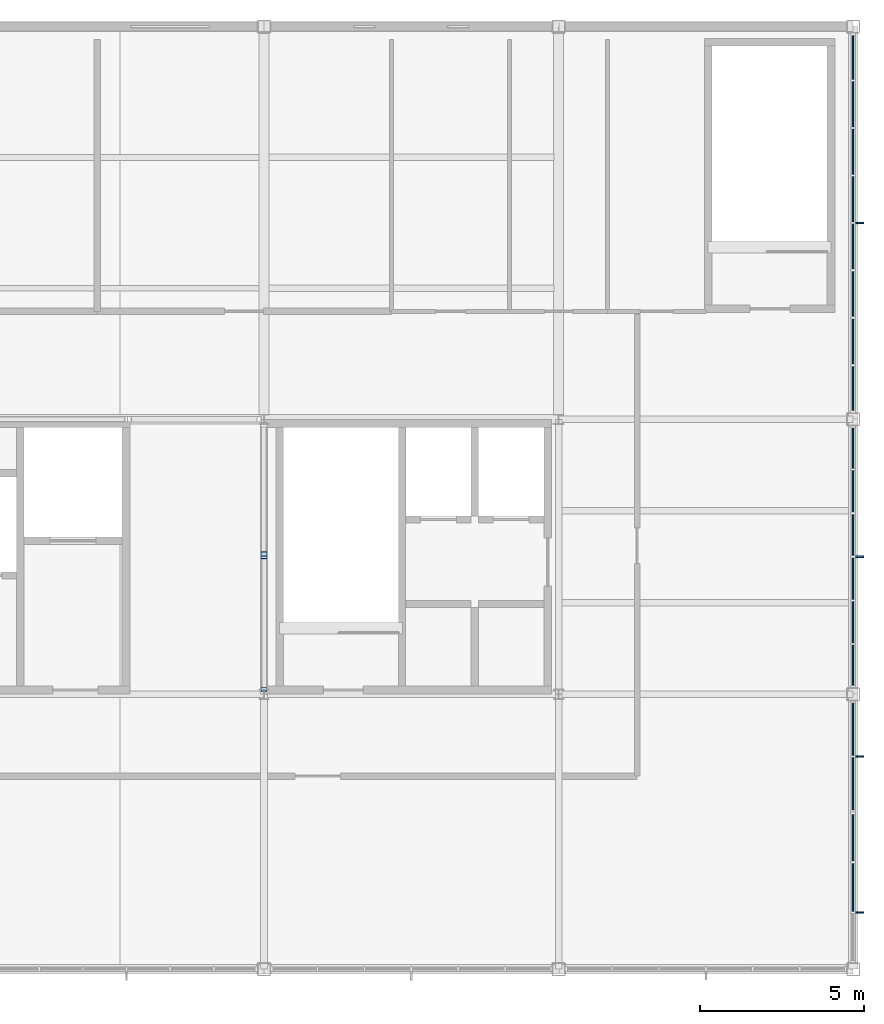
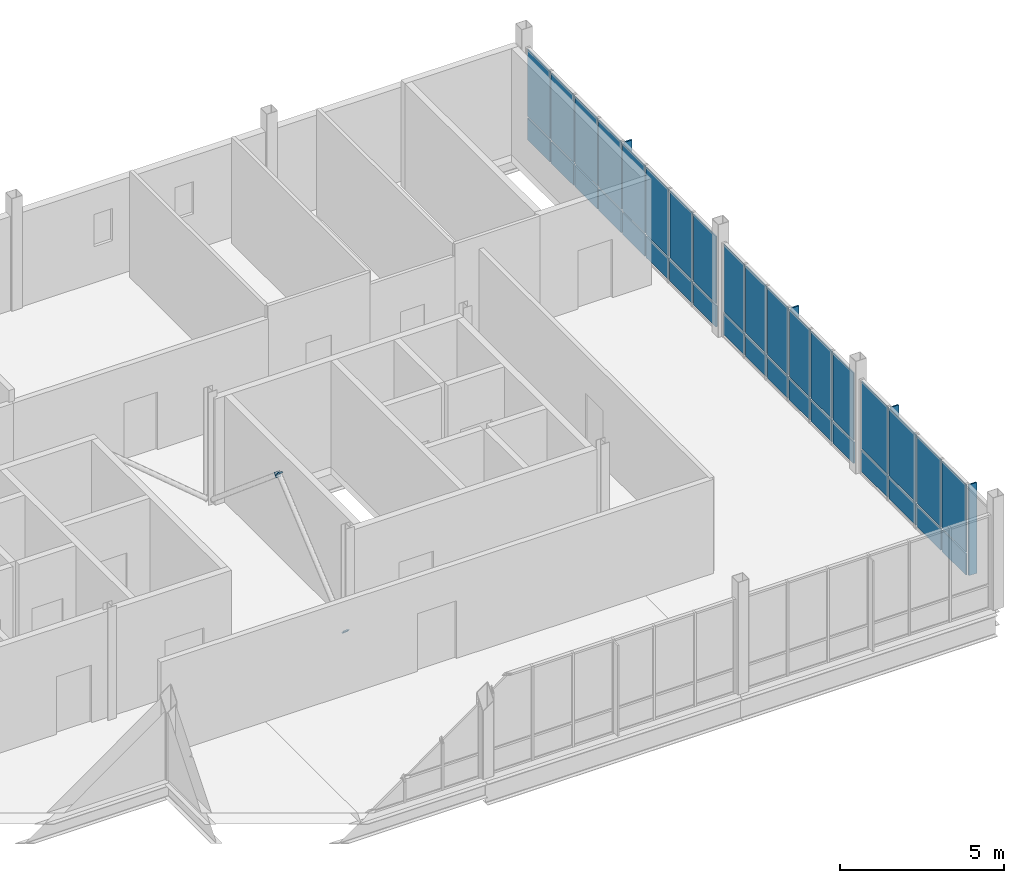
# One storey, part 11 of 15: 43 plates, 4 elements without a shape of their own.
"""IFC4 building model written with IfcOpenShell, lengths in metres."""

from ifc_helpers import new_model, si_unit, direction, frame, origin, origin_2d, place, context, subcontext, project, spatial, rectangle, extrude, material, layer, layer_set, type_object, element, aggregate, save


model = new_model("IFC4")

# Units and contexts
model_context = context("Model", 3, precision=1e-05, world=origin(), true_north=direction((0.0, 1.0)))
body_context = subcontext(model_context, "Body", "Model", "MODEL_VIEW")
ifc_project = project(units=[si_unit("LENGTHUNIT", "METRE"), si_unit("AREAUNIT", "SQUARE_METRE"), si_unit("VOLUMEUNIT", "CUBIC_METRE"), si_unit("PLANEANGLEUNIT", "RADIAN"), si_unit("MASSUNIT", "GRAM", prefix="KILO")], contexts=[model_context])

# Site, building, storey
site_placement = place(None, origin())
site = spatial("IfcSite", under=ifc_project, at=site_placement, CompositionType="ELEMENT")
building_placement = place(site_placement, origin())
building = spatial("IfcBuilding", under=site, at=building_placement, Name="Yukiwa Park Conservatory and Herbarium", CompositionType="ELEMENT")
storey_placement = place(building_placement, frame((0.0, 0.0, 61.199951171875)))
storey = spatial("IfcBuildingStorey", under=building, at=storey_placement, Name="L16", CompositionType="ELEMENT", Elevation=61.199951171875)

# Plates
ifc_material_1 = material(Name="Steel Q355D", Category="steel")
ifc_layer_1 = layer(ifc_material_1, 0.02392578125)
ifc_layer_set_1 = layer_set([ifc_layer_1], Name="Steel Q355D")
plate_type_1 = type_object("IfcPlateType", Name="PL-CAP-24-INT", PredefinedType="USERDEFINED", material=ifc_layer_set_1)
for number, where, z_axis, x_axis, name in (
    (1, (150.0, 94.95166015625, 0.177490234375), (0.0, -0.76987934926, -0.638189460571), (1.0, 0.0, 0.0), "Hollow section end cap plate CAP-BR-L16-079A"),
    (2, (150.0, 98.993896484375, 3.579833984375), (0.0, 0.760686645348, 0.649119270697), (-1.0, 0.0, 0.0), "Hollow section end cap plate CAP-BR-L16-079B"),
):
    element("IfcPlate", number, at=place(storey_placement, frame(where, z_axis=z_axis, x_axis=x_axis)), inside=storey, type_object=plate_type_1, Name=name, ObjectType="END CAP PLATE", PredefinedType="USERDEFINED", context=body_context, shape_type="SweptSolid", body=[
        extrude(rectangle(XDim=0.17626953125, YDim=0.17626953125, at=origin_2d()), origin(), (0.0, 0.0, 1.0), 0.024169921875),
    ])
plate_1_placement = place(storey_placement, frame((150.0, 99.101806640625, 3.49951171875), z_axis=(0.0, -0.76570486479, 0.643192086423), x_axis=(1.0, 0.0, 0.0)))
element("IfcPlate", 3, at=plate_1_placement, inside=storey, type_object=plate_type_1, Name="Hollow section end cap plate CAP-BR-L16-080B", ObjectType="END CAP PLATE", PredefinedType="USERDEFINED", context=body_context, shape_type="SweptSolid", body=[
    extrude(rectangle(XDim=0.17626953125, YDim=0.17626953125, at=origin_2d()), origin(), (0.0, 0.0, 1.0), 0.02392578125),
])

# Curtain wall, plates
ifc_material_2 = material(Name="Triple Low-E Insulated Glass", Category="glass")
ifc_layer_2 = layer(ifc_material_2, 0.2119140625)
ifc_layer_set_2 = layer_set([ifc_layer_2], Name="Triple Low-E Insulated Glass")
curtain_wall_type = type_object("IfcCurtainWallType", Name="CW-TOWER-SKY-1400", PredefinedType="NOTDEFINED", material=ifc_layer_set_2)
curtain_wall_1_placement = place(storey_placement, origin())
curtain_wall_1 = element("IfcCurtainWall", 4, at=curtain_wall_1_placement, inside=storey, type_object=curtain_wall_type, Name="L16 unitised curtain wall CW-L16-148", PredefinedType="NOTDEFINED")
ifc_material_3 = material(Name="Triple Low-E Insulated Glass", Category="glass")
ifc_layer_3 = layer(ifc_material_3, 0.035888671875)
ifc_layer_set_3 = layer_set([ifc_layer_3], Name="Triple Low-E Insulated Glass")
plate_type_2 = type_object("IfcPlateType", Name="PL-CW-GLZ-36", PredefinedType="CURTAIN_PANEL", material=ifc_layer_set_3)
plate_2_placement = place(storey_placement, frame((168.0, 88.89990234375, 0.93505859375), z_axis=(0.0, 0.0, 1.0), x_axis=(0.0, 1.0, 0.0)))
plate_2 = element("IfcPlate", 5, at=plate_2_placement, type_object=plate_type_2, Name="CW-L16-148 vision panel 2.2", PredefinedType="CURTAIN_PANEL", context=body_context, shape_type="SweptSolid", body=[
    extrude(rectangle(XDim=1.46337890625, YDim=0.035888671875, at=origin_2d()), origin(), (0.0, 0.0, 1.0), 2.5048828125),
])
plate_3_placement = place(storey_placement, frame((168.0, 90.433349609375, 0.93505859375), z_axis=(0.0, 0.0, 1.0), x_axis=(0.0, 1.0, 0.0)))
plate_3 = element("IfcPlate", 6, at=plate_3_placement, type_object=plate_type_2, Name="CW-L16-148 vision panel 3.2", PredefinedType="CURTAIN_PANEL", context=body_context, shape_type="SweptSolid", body=[
    extrude(rectangle(XDim=1.46337890625, YDim=0.035888671875, at=origin_2d()), origin(), (0.0, 0.0, 1.0), 2.5048828125),
])

curtain_wall_2_placement = place(storey_placement, origin())
curtain_wall_2 = element("IfcCurtainWall", 7, at=curtain_wall_2_placement, inside=storey, type_object=curtain_wall_type, Name="L16 unitised curtain wall CW-L16-149", PredefinedType="NOTDEFINED")
plate_4_placement = place(storey_placement, frame((168.0, 92.050048828125, 0.93505859375), z_axis=(0.0, 0.0, 1.0), x_axis=(0.0, 1.0, 0.0)))
plate_4 = element("IfcPlate", 8, at=plate_4_placement, type_object=plate_type_2, Name="CW-L16-149 vision panel 1.2", PredefinedType="CURTAIN_PANEL", context=body_context, shape_type="SweptSolid", body=[
    extrude(rectangle(XDim=1.6298828125, YDim=0.035888671875, at=origin_2d()), origin(), (0.0, 0.0, 1.0), 2.5048828125),
])
plate_5_placement = place(storey_placement, frame((168.0, 93.75, 0.93505859375), z_axis=(0.0, 0.0, 1.0), x_axis=(0.0, 1.0, 0.0)))
plate_5 = element("IfcPlate", 9, at=plate_5_placement, type_object=plate_type_2, Name="CW-L16-149 vision panel 2.2", PredefinedType="CURTAIN_PANEL", context=body_context, shape_type="SweptSolid", body=[
    extrude(rectangle(XDim=1.6298828125, YDim=0.035888671875, at=origin_2d()), origin(), (0.0, 0.0, 1.0), 2.5048828125),
])

curtain_wall_3_placement = place(storey_placement, origin())
curtain_wall_3 = element("IfcCurtainWall", 10, at=curtain_wall_3_placement, inside=storey, type_object=curtain_wall_type, Name="L16 unitised curtain wall CW-L16-150", PredefinedType="NOTDEFINED")
plate_6_placement = place(storey_placement, frame((168.0, 95.666748046875, 0.93505859375), z_axis=(0.0, 0.0, 1.0), x_axis=(0.0, 1.0, 0.0)))
plate_6 = element("IfcPlate", 11, at=plate_6_placement, type_object=plate_type_2, Name="CW-L16-150 vision panel 1.2", PredefinedType="CURTAIN_PANEL", context=body_context, shape_type="SweptSolid", body=[
    extrude(rectangle(XDim=1.26318359375, YDim=0.035888671875, at=origin_2d()), origin(), (0.0, 0.0, 1.0), 2.5048828125),
])
plate_7_placement = place(storey_placement, frame((168.0, 97.0, 0.93505859375), z_axis=(0.0, 0.0, 1.0), x_axis=(0.0, 1.0, 0.0)))
plate_7 = element("IfcPlate", 12, at=plate_7_placement, type_object=plate_type_2, Name="CW-L16-150 vision panel 2.2", PredefinedType="CURTAIN_PANEL", context=body_context, shape_type="SweptSolid", body=[
    extrude(rectangle(XDim=1.26318359375, YDim=0.035888671875, at=origin_2d()), origin(), (0.0, 0.0, 1.0), 2.5048828125),
])
plate_8_placement = place(storey_placement, frame((168.0, 98.333251953125, 0.93505859375), z_axis=(0.0, 0.0, 1.0), x_axis=(0.0, 1.0, 0.0)))
plate_8 = element("IfcPlate", 13, at=plate_8_placement, type_object=plate_type_2, Name="CW-L16-150 vision panel 3.2", PredefinedType="CURTAIN_PANEL", context=body_context, shape_type="SweptSolid", body=[
    extrude(rectangle(XDim=1.26318359375, YDim=0.035888671875, at=origin_2d()), origin(), (0.0, 0.0, 1.0), 2.5048828125),
])
plate_9_placement = place(storey_placement, frame((168.0, 99.666748046875, 0.93505859375), z_axis=(0.0, 0.0, 1.0), x_axis=(0.0, 1.0, 0.0)))
plate_9 = element("IfcPlate", 14, at=plate_9_placement, type_object=plate_type_2, Name="CW-L16-150 vision panel 4.2", PredefinedType="CURTAIN_PANEL", context=body_context, shape_type="SweptSolid", body=[
    extrude(rectangle(XDim=1.26318359375, YDim=0.035888671875, at=origin_2d()), origin(), (0.0, 0.0, 1.0), 2.5048828125),
])
plate_10_placement = place(storey_placement, frame((168.0, 101.0, 0.93505859375), z_axis=(0.0, 0.0, 1.0), x_axis=(0.0, 1.0, 0.0)))
plate_10 = element("IfcPlate", 15, at=plate_10_placement, type_object=plate_type_2, Name="CW-L16-150 vision panel 5.2", PredefinedType="CURTAIN_PANEL", context=body_context, shape_type="SweptSolid", body=[
    extrude(rectangle(XDim=1.26318359375, YDim=0.035888671875, at=origin_2d()), origin(), (0.0, 0.0, 1.0), 2.5048828125),
])
plate_11_placement = place(storey_placement, frame((168.0, 102.333251953125, 0.93505859375), z_axis=(0.0, 0.0, 1.0), x_axis=(0.0, 1.0, 0.0)))
plate_11 = element("IfcPlate", 16, at=plate_11_placement, type_object=plate_type_2, Name="CW-L16-150 vision panel 6.2", PredefinedType="CURTAIN_PANEL", context=body_context, shape_type="SweptSolid", body=[
    extrude(rectangle(XDim=1.26318359375, YDim=0.035888671875, at=origin_2d()), origin(), (0.0, 0.0, 1.0), 2.5048828125),
])

curtain_wall_4_placement = place(storey_placement, origin())
curtain_wall_4 = element("IfcCurtainWall", 17, at=curtain_wall_4_placement, inside=storey, type_object=curtain_wall_type, Name="L16 unitised curtain wall CW-L16-151", PredefinedType="NOTDEFINED")
plate_12_placement = place(storey_placement, frame((168.0, 104.125, 0.93505859375), z_axis=(0.0, 0.0, 1.0), x_axis=(0.0, 1.0, 0.0)))
plate_12 = element("IfcPlate", 18, at=plate_12_placement, type_object=plate_type_2, Name="CW-L16-151 vision panel 1.2", PredefinedType="CURTAIN_PANEL", context=body_context, shape_type="SweptSolid", body=[
    extrude(rectangle(XDim=1.3798828125, YDim=0.035888671875, at=origin_2d()), origin(), (0.0, 0.0, 1.0), 2.5048828125),
])
plate_13_placement = place(storey_placement, frame((168.0, 105.574951171875, 0.93505859375), z_axis=(0.0, 0.0, 1.0), x_axis=(0.0, 1.0, 0.0)))
plate_13 = element("IfcPlate", 19, at=plate_13_placement, type_object=plate_type_2, Name="CW-L16-151 vision panel 2.2", PredefinedType="CURTAIN_PANEL", context=body_context, shape_type="SweptSolid", body=[
    extrude(rectangle(XDim=1.3798828125, YDim=0.035888671875, at=origin_2d()), origin(), (0.0, 0.0, 1.0), 2.5048828125),
])
plate_14_placement = place(storey_placement, frame((168.0, 107.02490234375, 0.93505859375), z_axis=(0.0, 0.0, 1.0), x_axis=(0.0, 1.0, 0.0)))
plate_14 = element("IfcPlate", 20, at=plate_14_placement, type_object=plate_type_2, Name="CW-L16-151 vision panel 3.2", PredefinedType="CURTAIN_PANEL", context=body_context, shape_type="SweptSolid", body=[
    extrude(rectangle(XDim=1.3798828125, YDim=0.035888671875, at=origin_2d()), origin(), (0.0, 0.0, 1.0), 2.5048828125),
])
plate_15_placement = place(storey_placement, frame((168.0, 108.47509765625, 0.93505859375), z_axis=(0.0, 0.0, 1.0), x_axis=(0.0, 1.0, 0.0)))
plate_15 = element("IfcPlate", 21, at=plate_15_placement, type_object=plate_type_2, Name="CW-L16-151 vision panel 4.2", PredefinedType="CURTAIN_PANEL", context=body_context, shape_type="SweptSolid", body=[
    extrude(rectangle(XDim=1.3798828125, YDim=0.035888671875, at=origin_2d()), origin(), (0.0, 0.0, 1.0), 2.5048828125),
])
plate_16_placement = place(storey_placement, frame((168.0, 109.925048828125, 0.93505859375), z_axis=(0.0, 0.0, 1.0), x_axis=(0.0, 1.0, 0.0)))
plate_16 = element("IfcPlate", 22, at=plate_16_placement, type_object=plate_type_2, Name="CW-L16-151 vision panel 5.2", PredefinedType="CURTAIN_PANEL", context=body_context, shape_type="SweptSolid", body=[
    extrude(rectangle(XDim=1.3798828125, YDim=0.035888671875, at=origin_2d()), origin(), (0.0, 0.0, 1.0), 2.5048828125),
])
plate_17_placement = place(storey_placement, frame((168.0, 111.375, 0.93505859375), z_axis=(0.0, 0.0, 1.0), x_axis=(0.0, 1.0, 0.0)))
plate_17 = element("IfcPlate", 23, at=plate_17_placement, type_object=plate_type_2, Name="CW-L16-151 vision panel 6.2", PredefinedType="CURTAIN_PANEL", context=body_context, shape_type="SweptSolid", body=[
    extrude(rectangle(XDim=1.3798828125, YDim=0.035888671875, at=origin_2d()), origin(), (0.0, 0.0, 1.0), 2.5048828125),
])
plate_18_placement = place(storey_placement, frame((168.0, 112.824951171875, 0.93505859375), z_axis=(0.0, 0.0, 1.0), x_axis=(0.0, 1.0, 0.0)))
plate_18 = element("IfcPlate", 24, at=plate_18_placement, type_object=plate_type_2, Name="CW-L16-151 vision panel 7.2", PredefinedType="CURTAIN_PANEL", context=body_context, shape_type="SweptSolid", body=[
    extrude(rectangle(XDim=1.3798828125, YDim=0.035888671875, at=origin_2d()), origin(), (0.0, 0.0, 1.0), 2.5048828125),
])
plate_19_placement = place(storey_placement, frame((168.0, 114.27490234375, 0.93505859375), z_axis=(0.0, 0.0, 1.0), x_axis=(0.0, 1.0, 0.0)))
plate_19 = element("IfcPlate", 25, at=plate_19_placement, type_object=plate_type_2, Name="CW-L16-151 vision panel 8.2", PredefinedType="CURTAIN_PANEL", context=body_context, shape_type="SweptSolid", body=[
    extrude(rectangle(XDim=1.3798828125, YDim=0.035888671875, at=origin_2d()), origin(), (0.0, 0.0, 1.0), 2.5048828125),
])

# Plate
ifc_material_4 = material(Name="Anodised Aluminium", Category="aluminium")
ifc_layer_4 = layer(ifc_material_4, 0.044921875)
ifc_layer_set_4 = layer_set([ifc_layer_4], Name="Anodised Aluminium")
plate_type_3 = type_object("IfcPlateType", Name="PL-CW-SPN-45", PredefinedType="CURTAIN_PANEL", material=ifc_layer_set_4)
plate_20_placement = place(storey_placement, frame((168.0, 88.89990234375, 0.070068359375), z_axis=(0.0, 0.0, 1.0), x_axis=(0.0, 1.0, 0.0)))
plate_20 = element("IfcPlate", 26, at=plate_20_placement, type_object=plate_type_3, Name="CW-L16-148 spandrel panel 2.1", PredefinedType="CURTAIN_PANEL", context=body_context, shape_type="SweptSolid", body=[
    extrude(rectangle(XDim=1.46337890625, YDim=0.044921875, at=origin_2d()), origin(), (0.0, 0.0, 1.0), 0.794921875),
])

plate_21_placement = place(storey_placement, frame((168.0, 90.433349609375, 0.070068359375), z_axis=(0.0, 0.0, 1.0), x_axis=(0.0, 1.0, 0.0)))
plate_21 = element("IfcPlate", 27, at=plate_21_placement, type_object=plate_type_3, Name="CW-L16-148 spandrel panel 3.1", PredefinedType="CURTAIN_PANEL", context=body_context, shape_type="SweptSolid", body=[
    extrude(rectangle(XDim=1.46337890625, YDim=0.044921875, at=origin_2d()), origin(), (0.0, 0.0, 1.0), 0.794921875),
])

aggregate(curtain_wall_1, [plate_20, plate_2, plate_21, plate_3])

plate_22_placement = place(storey_placement, frame((168.0, 92.050048828125, 0.070068359375), z_axis=(0.0, 0.0, 1.0), x_axis=(0.0, 1.0, 0.0)))
plate_22 = element("IfcPlate", 28, at=plate_22_placement, type_object=plate_type_3, Name="CW-L16-149 spandrel panel 1.1", PredefinedType="CURTAIN_PANEL", context=body_context, shape_type="SweptSolid", body=[
    extrude(rectangle(XDim=1.6298828125, YDim=0.044921875, at=origin_2d()), origin(), (0.0, 0.0, 1.0), 0.794921875),
])

plate_23_placement = place(storey_placement, frame((168.0, 93.75, 0.070068359375), z_axis=(0.0, 0.0, 1.0), x_axis=(0.0, 1.0, 0.0)))
plate_23 = element("IfcPlate", 29, at=plate_23_placement, type_object=plate_type_3, Name="CW-L16-149 spandrel panel 2.1", PredefinedType="CURTAIN_PANEL", context=body_context, shape_type="SweptSolid", body=[
    extrude(rectangle(XDim=1.6298828125, YDim=0.044921875, at=origin_2d()), origin(), (0.0, 0.0, 1.0), 0.794921875),
])

aggregate(curtain_wall_2, [plate_22, plate_4, plate_23, plate_5])

plate_24_placement = place(storey_placement, frame((168.0, 95.666748046875, 0.070068359375), z_axis=(0.0, 0.0, 1.0), x_axis=(0.0, 1.0, 0.0)))
plate_24 = element("IfcPlate", 30, at=plate_24_placement, type_object=plate_type_3, Name="CW-L16-150 spandrel panel 1.1", PredefinedType="CURTAIN_PANEL", context=body_context, shape_type="SweptSolid", body=[
    extrude(rectangle(XDim=1.26318359375, YDim=0.044921875, at=origin_2d()), origin(), (0.0, 0.0, 1.0), 0.794921875),
])

plate_25_placement = place(storey_placement, frame((168.0, 97.0, 0.070068359375), z_axis=(0.0, 0.0, 1.0), x_axis=(0.0, 1.0, 0.0)))
plate_25 = element("IfcPlate", 31, at=plate_25_placement, type_object=plate_type_3, Name="CW-L16-150 spandrel panel 2.1", PredefinedType="CURTAIN_PANEL", context=body_context, shape_type="SweptSolid", body=[
    extrude(rectangle(XDim=1.26318359375, YDim=0.044921875, at=origin_2d()), origin(), (0.0, 0.0, 1.0), 0.794921875),
])

plate_26_placement = place(storey_placement, frame((168.0, 98.333251953125, 0.070068359375), z_axis=(0.0, 0.0, 1.0), x_axis=(0.0, 1.0, 0.0)))
plate_26 = element("IfcPlate", 32, at=plate_26_placement, type_object=plate_type_3, Name="CW-L16-150 spandrel panel 3.1", PredefinedType="CURTAIN_PANEL", context=body_context, shape_type="SweptSolid", body=[
    extrude(rectangle(XDim=1.26318359375, YDim=0.044921875, at=origin_2d()), origin(), (0.0, 0.0, 1.0), 0.794921875),
])

plate_27_placement = place(storey_placement, frame((168.0, 99.666748046875, 0.070068359375), z_axis=(0.0, 0.0, 1.0), x_axis=(0.0, 1.0, 0.0)))
plate_27 = element("IfcPlate", 33, at=plate_27_placement, type_object=plate_type_3, Name="CW-L16-150 spandrel panel 4.1", PredefinedType="CURTAIN_PANEL", context=body_context, shape_type="SweptSolid", body=[
    extrude(rectangle(XDim=1.26318359375, YDim=0.044921875, at=origin_2d()), origin(), (0.0, 0.0, 1.0), 0.794921875),
])

plate_28_placement = place(storey_placement, frame((168.0, 101.0, 0.070068359375), z_axis=(0.0, 0.0, 1.0), x_axis=(0.0, 1.0, 0.0)))
plate_28 = element("IfcPlate", 34, at=plate_28_placement, type_object=plate_type_3, Name="CW-L16-150 spandrel panel 5.1", PredefinedType="CURTAIN_PANEL", context=body_context, shape_type="SweptSolid", body=[
    extrude(rectangle(XDim=1.26318359375, YDim=0.044921875, at=origin_2d()), origin(), (0.0, 0.0, 1.0), 0.794921875),
])

plate_29_placement = place(storey_placement, frame((168.0, 102.333251953125, 0.070068359375), z_axis=(0.0, 0.0, 1.0), x_axis=(0.0, 1.0, 0.0)))
plate_29 = element("IfcPlate", 35, at=plate_29_placement, type_object=plate_type_3, Name="CW-L16-150 spandrel panel 6.1", PredefinedType="CURTAIN_PANEL", context=body_context, shape_type="SweptSolid", body=[
    extrude(rectangle(XDim=1.26318359375, YDim=0.044921875, at=origin_2d()), origin(), (0.0, 0.0, 1.0), 0.794921875),
])

aggregate(curtain_wall_3, [plate_24, plate_6, plate_25, plate_7, plate_26, plate_8, plate_27, plate_9, plate_28, plate_10, plate_29, plate_11])

plate_30_placement = place(storey_placement, frame((168.0, 104.125, 0.070068359375), z_axis=(0.0, 0.0, 1.0), x_axis=(0.0, 1.0, 0.0)))
plate_30 = element("IfcPlate", 36, at=plate_30_placement, type_object=plate_type_3, Name="CW-L16-151 spandrel panel 1.1", PredefinedType="CURTAIN_PANEL", context=body_context, shape_type="SweptSolid", body=[
    extrude(rectangle(XDim=1.3798828125, YDim=0.044921875, at=origin_2d()), origin(), (0.0, 0.0, 1.0), 0.794921875),
])

plate_31_placement = place(storey_placement, frame((168.0, 105.574951171875, 0.070068359375), z_axis=(0.0, 0.0, 1.0), x_axis=(0.0, 1.0, 0.0)))
plate_31 = element("IfcPlate", 37, at=plate_31_placement, type_object=plate_type_3, Name="CW-L16-151 spandrel panel 2.1", PredefinedType="CURTAIN_PANEL", context=body_context, shape_type="SweptSolid", body=[
    extrude(rectangle(XDim=1.3798828125, YDim=0.044921875, at=origin_2d()), origin(), (0.0, 0.0, 1.0), 0.794921875),
])

plate_32_placement = place(storey_placement, frame((168.0, 107.02490234375, 0.070068359375), z_axis=(0.0, 0.0, 1.0), x_axis=(0.0, 1.0, 0.0)))
plate_32 = element("IfcPlate", 38, at=plate_32_placement, type_object=plate_type_3, Name="CW-L16-151 spandrel panel 3.1", PredefinedType="CURTAIN_PANEL", context=body_context, shape_type="SweptSolid", body=[
    extrude(rectangle(XDim=1.3798828125, YDim=0.044921875, at=origin_2d()), origin(), (0.0, 0.0, 1.0), 0.794921875),
])

plate_33_placement = place(storey_placement, frame((168.0, 108.47509765625, 0.070068359375), z_axis=(0.0, 0.0, 1.0), x_axis=(0.0, 1.0, 0.0)))
plate_33 = element("IfcPlate", 39, at=plate_33_placement, type_object=plate_type_3, Name="CW-L16-151 spandrel panel 4.1", PredefinedType="CURTAIN_PANEL", context=body_context, shape_type="SweptSolid", body=[
    extrude(rectangle(XDim=1.3798828125, YDim=0.044921875, at=origin_2d()), origin(), (0.0, 0.0, 1.0), 0.794921875),
])

plate_34_placement = place(storey_placement, frame((168.0, 109.925048828125, 0.070068359375), z_axis=(0.0, 0.0, 1.0), x_axis=(0.0, 1.0, 0.0)))
plate_34 = element("IfcPlate", 40, at=plate_34_placement, type_object=plate_type_3, Name="CW-L16-151 spandrel panel 5.1", PredefinedType="CURTAIN_PANEL", context=body_context, shape_type="SweptSolid", body=[
    extrude(rectangle(XDim=1.3798828125, YDim=0.044921875, at=origin_2d()), origin(), (0.0, 0.0, 1.0), 0.794921875),
])

plate_35_placement = place(storey_placement, frame((168.0, 111.375, 0.070068359375), z_axis=(0.0, 0.0, 1.0), x_axis=(0.0, 1.0, 0.0)))
plate_35 = element("IfcPlate", 41, at=plate_35_placement, type_object=plate_type_3, Name="CW-L16-151 spandrel panel 6.1", PredefinedType="CURTAIN_PANEL", context=body_context, shape_type="SweptSolid", body=[
    extrude(rectangle(XDim=1.3798828125, YDim=0.044921875, at=origin_2d()), origin(), (0.0, 0.0, 1.0), 0.794921875),
])

plate_36_placement = place(storey_placement, frame((168.0, 112.824951171875, 0.070068359375), z_axis=(0.0, 0.0, 1.0), x_axis=(0.0, 1.0, 0.0)))
plate_36 = element("IfcPlate", 42, at=plate_36_placement, type_object=plate_type_3, Name="CW-L16-151 spandrel panel 7.1", PredefinedType="CURTAIN_PANEL", context=body_context, shape_type="SweptSolid", body=[
    extrude(rectangle(XDim=1.3798828125, YDim=0.044921875, at=origin_2d()), origin(), (0.0, 0.0, 1.0), 0.794921875),
])

plate_37_placement = place(storey_placement, frame((168.0, 114.27490234375, 0.070068359375), z_axis=(0.0, 0.0, 1.0), x_axis=(0.0, 1.0, 0.0)))
plate_37 = element("IfcPlate", 43, at=plate_37_placement, type_object=plate_type_3, Name="CW-L16-151 spandrel panel 8.1", PredefinedType="CURTAIN_PANEL", context=body_context, shape_type="SweptSolid", body=[
    extrude(rectangle(XDim=1.3798828125, YDim=0.044921875, at=origin_2d()), origin(), (0.0, 0.0, 1.0), 0.794921875),
])

aggregate(curtain_wall_4, [plate_30, plate_12, plate_31, plate_13, plate_32, plate_14, plate_33, plate_15, plate_34, plate_16, plate_35, plate_17, plate_36, plate_18, plate_37, plate_19])

# Plates
ifc_material_5 = material(Name="Anodised Aluminium", Category="aluminium")
ifc_layer_5 = layer(ifc_material_5, 0.050048828125)
ifc_layer_set_5 = layer_set([ifc_layer_5], Name="Anodised Aluminium")
plate_type_4 = type_object("IfcPlateType", Name="PL-FIN-ALU-50", PredefinedType="USERDEFINED", material=ifc_layer_set_5)
for number, where, z_axis, x_axis, name in (
    (44, (168.18994140625, 88.13330078125, 0.06005859375), (0.0, 0.0, 1.0), (0.0, 1.0, 0.0), "CW-L16-148 exterior vertical shading fin"),
    (45, (168.18994140625, 92.89990234375, 0.06005859375), (0.0, 0.0, 1.0), (0.0, 1.0, 0.0), "CW-L16-149 exterior vertical shading fin"),
    (46, (168.18994140625, 99.0, 0.06005859375), (0.0, 0.0, 1.0), (0.0, 1.0, 0.0), "CW-L16-150 exterior vertical shading fin"),
    (47, (168.18994140625, 109.199951171875, 0.06005859375), (0.0, 0.0, 1.0), (0.0, 1.0, 0.0), "CW-L16-151 exterior vertical shading fin"),
):
    element("IfcPlate", number, at=place(storey_placement, frame(where, z_axis=z_axis, x_axis=x_axis)), inside=storey, type_object=plate_type_4, Name=name, ObjectType="SHADING FIN", PredefinedType="USERDEFINED", context=body_context, shape_type="SweptSolid", body=[
        extrude(rectangle(XDim=0.050048828125, YDim=0.280029296875, at=origin_2d()), origin(), (0.0, 0.0, 1.0), 3.389892578125),
    ])

save(model, "model.ifc")
